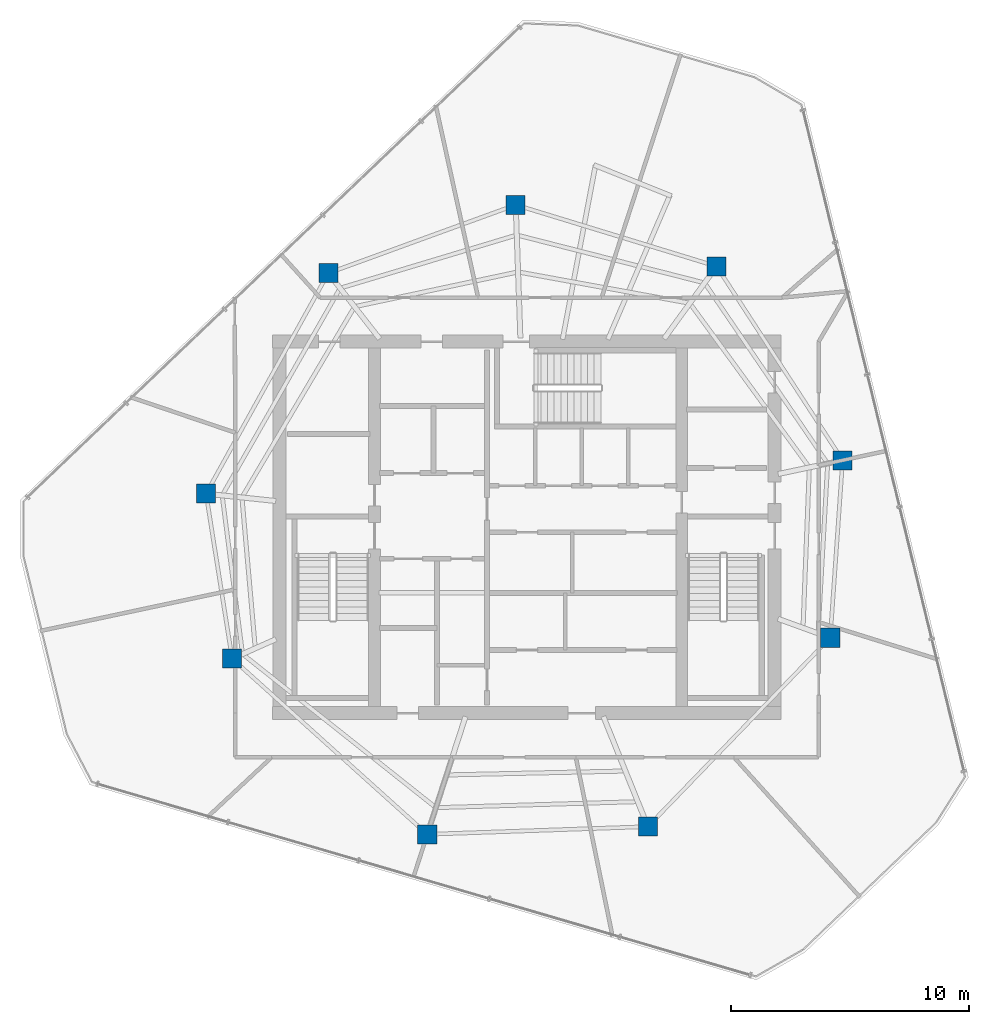
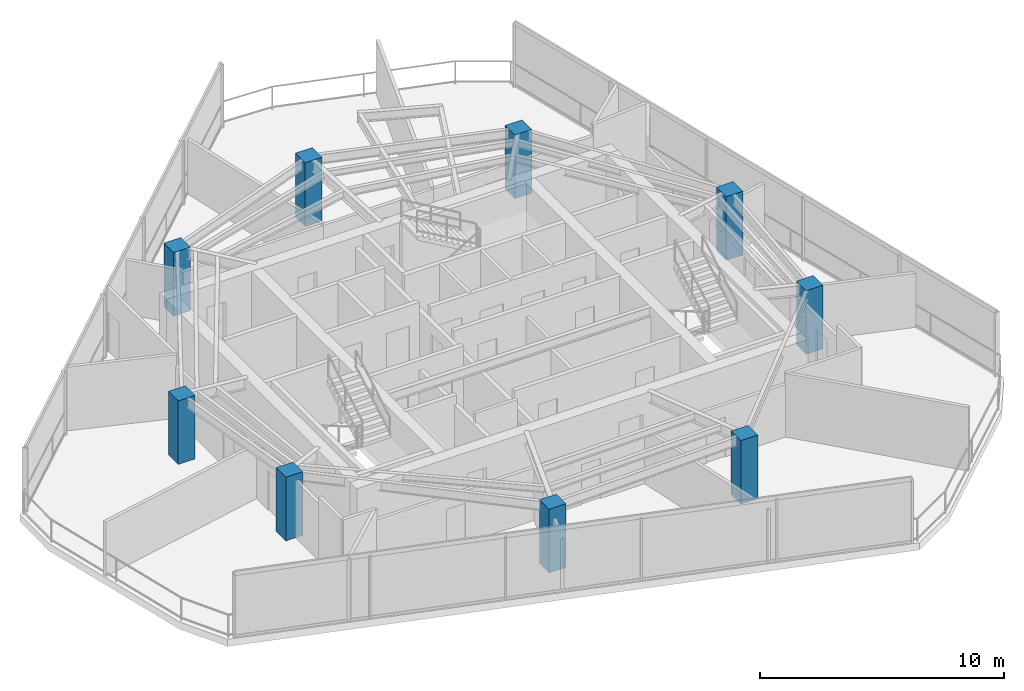
# One storey, part 1 of 19: 9 columns.
"""IFC4 building model written with IfcOpenShell, lengths in metres."""

from ifc_helpers import new_model, si_unit, direction, frame, origin, origin_2d, place, context, subcontext, project, spatial, rectangle, extrude, material, material_profile, profile_set, type_object, element, save


model = new_model("IFC4")

# Units and contexts
model_context = context("Model", 3, precision=1e-05, world=origin(), true_north=direction((0.0, 1.0)))
body_context = subcontext(model_context, "Body", "Model", "MODEL_VIEW")
ifc_project = project(units=[si_unit("LENGTHUNIT", "METRE"), si_unit("AREAUNIT", "SQUARE_METRE"), si_unit("VOLUMEUNIT", "CUBIC_METRE"), si_unit("PLANEANGLEUNIT", "RADIAN"), si_unit("MASSUNIT", "GRAM", prefix="KILO")], contexts=[model_context])

# Site, building, storey
site_placement = place(None, origin())
site = spatial("IfcSite", under=ifc_project, at=site_placement, CompositionType="ELEMENT")
building_placement = place(site_placement, origin())
building = spatial("IfcBuilding", under=site, at=building_placement, Name="Qarnah Convention Tower", CompositionType="ELEMENT")
storey_placement = place(building_placement, frame((0.0, 0.0, 231.89990234375)))
storey = spatial("IfcBuildingStorey", under=building, at=storey_placement, Name="L62", CompositionType="ELEMENT", Elevation=231.89990234375)

# Columns
ifc_material = material(Name="Concrete C50/60", Category="concrete")
ifc_material_profile = material_profile(ifc_material, rectangle(XDim=0.800048828125, YDim=0.800048828125, at=origin_2d()), Name="RC-COL-800X800")
ifc_profile_set = profile_set([ifc_material_profile], Name="Concrete C50/60")
column_type = type_object("IfcColumnType", Name="COL-Z5-800", PredefinedType="COLUMN", material=ifc_profile_set)
for number, where, z_axis, x_axis, name in (
    (1, (50.4541015625, 29.217041015625, 0.0), (0.0, 0.0, 1.0), (1.0, 0.0, 0.0), "L62 plumb column PC-Z5-01"),
    (2, (45.1640625, 37.362060546875, 0.0), (0.0, 0.0, 1.0), (1.0, 0.0, 0.0), "L62 plumb column PC-Z5-02"),
    (3, (36.72705078125, 39.94189453125, 0.0), (0.0, 0.0, 1.0), (1.0, 0.0, 0.0), "L62 plumb column PC-Z5-03"),
    (4, (28.85791015625, 37.077880859375, 0.0), (0.0, 0.0, 1.0), (1.0, 0.0, 0.0), "L62 plumb column PC-Z5-04"),
    (5, (23.72412109375, 27.81591796875, 0.0), (0.0, 0.0, 1.0), (1.0, 0.0, 0.0), "L62 plumb column PC-Z5-05"),
    (6, (24.821044921875, 20.888916015625, 0.0), (0.0, 0.0, 1.0), (1.0, 0.0, 0.0), "L62 plumb column PC-Z5-06"),
    (7, (33.012939453125, 13.512939453125, 0.0), (0.0, 0.0, 1.0), (1.0, 0.0, 0.0), "L62 plumb column PC-Z5-07"),
    (8, (42.27587890625, 13.8369140625, 0.0), (0.0, 0.0, 1.0), (1.0, 0.0, 0.0), "L62 plumb column PC-Z5-08"),
    (9, (49.93310546875, 21.76611328125, 0.0), (0.0, 0.0, 1.0), (1.0, 0.0, 0.0), "L62 plumb column PC-Z5-09"),
):
    element("IfcColumn", number, at=place(storey_placement, frame(where, z_axis=z_axis, x_axis=x_axis)), inside=storey, type_object=column_type, Name=name, PredefinedType="COLUMN", context=body_context, shape_type="SweptSolid", body=[
        extrude(rectangle(XDim=0.800048828125, YDim=0.800048828125, at=origin_2d()), origin(), (0.0, 0.0, 1.0), 3.18017578125),
    ])

save(model, "model.ifc")
